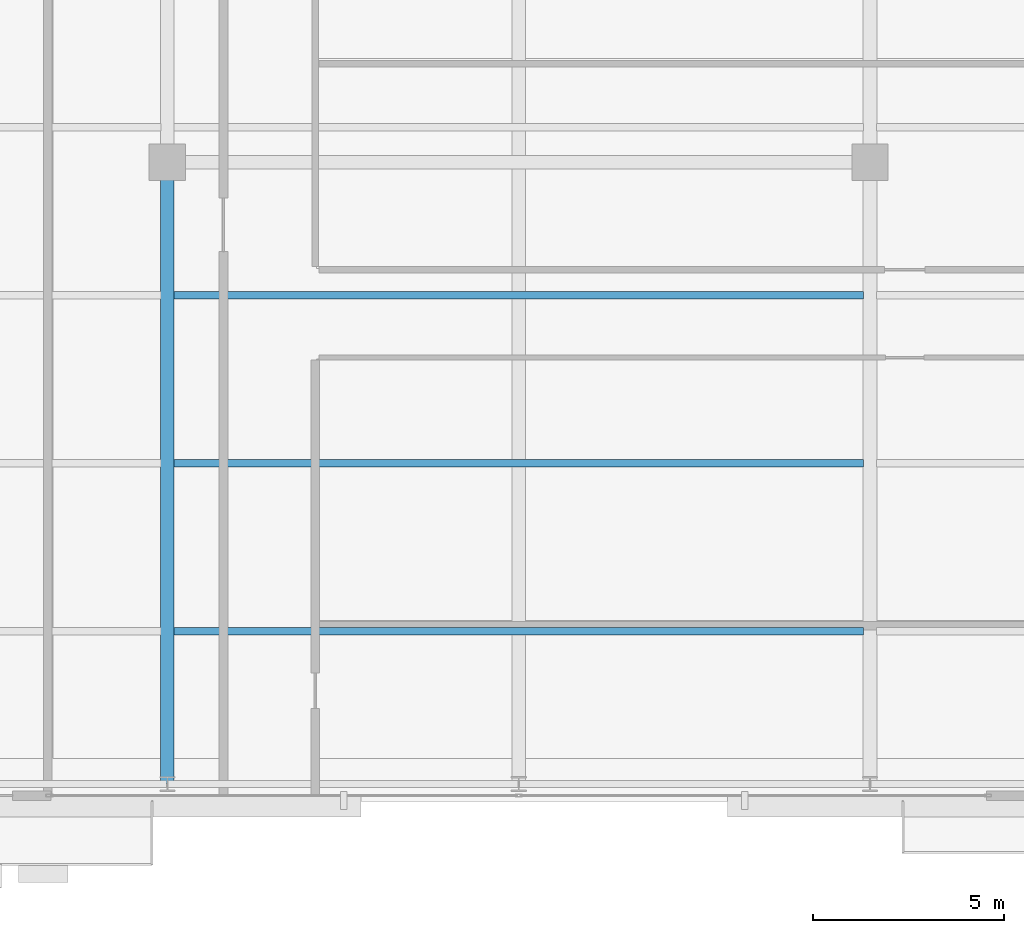
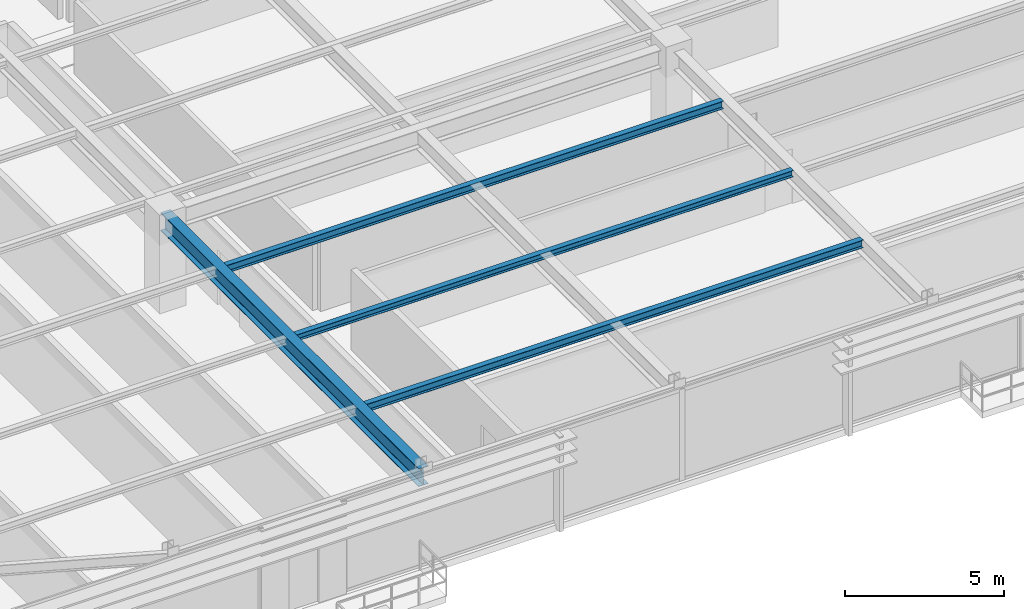
# One storey, part 7 of 31: 4 beams.
"""IFC4 building model written with IfcOpenShell, lengths in metres."""

from ifc_helpers import new_model, si_unit, direction, frame, origin, origin_2d, place, context, subcontext, project, spatial, i_section, extrude, source, transform, mapped, material, material_profile, profile_set, type_object, type_shapes, element, save


model = new_model("IFC4")

# Units and contexts
model_context = context("Model", 3, precision=1e-05, world=origin(), true_north=direction((0.0, 1.0)))
body_context = subcontext(model_context, "Body", "Model", "MODEL_VIEW")
ifc_project = project(units=[si_unit("LENGTHUNIT", "METRE"), si_unit("AREAUNIT", "SQUARE_METRE"), si_unit("VOLUMEUNIT", "CUBIC_METRE"), si_unit("PLANEANGLEUNIT", "RADIAN"), si_unit("MASSUNIT", "GRAM", prefix="KILO")], contexts=[model_context])

# Site, building, storey
site_placement = place(None, origin())
site = spatial("IfcSite", under=ifc_project, at=site_placement, CompositionType="ELEMENT")
building_placement = place(site_placement, origin())
building = spatial("IfcBuilding", under=site, at=building_placement, Name="Varnel Quay Broadcast Tower", CompositionType="ELEMENT")
storey_placement = place(building_placement, frame((0.0, 0.0, 94.60009765625)))
storey = spatial("IfcBuildingStorey", under=building, at=storey_placement, Name="L22", CompositionType="ELEMENT", Elevation=94.60009765625)

# Beams
ifc_material = material(Name="Structural Steel CSA G40.21 350W", Category="steel")
ifc_material_profile_1 = material_profile(ifc_material, i_section(OverallWidth=0.35498046875, OverallDepth=0.695068359375, WebThickness=0.015380859375, FlangeThickness=0.02490234375, FilletRadius=0.01806640625, at=origin_2d()), Name="W690X217")
ifc_profile_set_1 = profile_set([ifc_material_profile_1], Name="Structural Steel CSA G40.21 350W")
beam_type_1 = type_object("IfcBeamType", Name="Girder_W690X217", PredefinedType="BEAM", material=ifc_profile_set_1)
shared_shape_1 = source(origin(), body_context, "Body", "SweptSolid", [
    extrude(i_section(OverallWidth=0.35498046875, OverallDepth=0.695068359375, WebThickness=0.015380859375, FlangeThickness=0.02490234375, FilletRadius=0.01806640625, at=origin_2d()), origin(), (0.0, 0.0, 1.0), 16.239990234375),
])
type_shapes(beam_type_1, [shared_shape_1])
beam_1_placement = place(storey_placement, frame((24.800048828125, 4.669921875, 3.17236328125), z_axis=(0.0, 1.0, 0.0), x_axis=(-1.0, 0.0, 0.0)))
element("IfcBeam", 1, at=beam_1_placement, inside=storey, type_object=beam_type_1, Name="L22 Primary Girder TC-S2-IC-01", PredefinedType="BEAM", context=body_context, shape_type="MappedRepresentation", body=[
    mapped(shared_shape_1, transform((0.0, 0.0, 0.0), x_axis=(1.0, 0.0, 0.0), y_axis=(0.0, 1.0, 0.0), z_axis=(0.0, 0.0, 1.0), scale=1.0)),
])
ifc_material_profile_2 = material_profile(ifc_material, i_section(OverallWidth=0.202880859375, OverallDepth=0.302978515625, WebThickness=0.007568359375, FlangeThickness=0.01318359375, FilletRadius=0.011962890625, at=origin_2d()), Name="W310X60")
ifc_profile_set_2 = profile_set([ifc_material_profile_2], Name="Structural Steel CSA G40.21 350W")
beam_type_2 = type_object("IfcBeamType", Name="Beam_W310X60", PredefinedType="JOIST", material=ifc_profile_set_2)
shared_shape_2 = source(origin(), body_context, "Body", "SweptSolid", [
    extrude(i_section(OverallWidth=0.202880859375, OverallDepth=0.302978515625, WebThickness=0.007568359375, FlangeThickness=0.01318359375, FilletRadius=0.011962890625, at=origin_2d()), origin(), (0.0, 0.0, 1.0), 18.05517578125),
])
type_shapes(beam_type_2, [shared_shape_2])
for number, where, z_axis, x_axis, name in (
    (2, (24.972412109375, 8.64990234375, 3.368408203125), (1.0, 0.0, 0.0), (0.0, 1.0, 0.0), "L22 Central Floor Joist 1"),
    (3, (24.972412109375, 17.449951171875, 3.368408203125), (1.0, 0.0, 0.0), (0.0, 1.0, 0.0), "L22 Central Floor Joist 3"),
):
    element("IfcBeam", number, at=place(storey_placement, frame(where, z_axis=z_axis, x_axis=x_axis)), inside=storey, type_object=beam_type_2, Name=name, PredefinedType="JOIST", context=body_context, shape_type="MappedRepresentation", body=[
        mapped(shared_shape_2, transform((0.0, 0.0, 0.0), x_axis=(1.0, 0.0, 0.0), y_axis=(0.0, 1.0, 0.0), z_axis=(0.0, 0.0, 1.0), scale=1.0)),
    ])
ifc_material_profile_3 = material_profile(ifc_material, i_section(OverallWidth=0.201904296875, OverallDepth=0.2470703125, WebThickness=0.00732421875, FlangeThickness=0.010986328125, FilletRadius=0.010986328125, at=origin_2d()), Name="W250X49")
ifc_profile_set_3 = profile_set([ifc_material_profile_3], Name="Structural Steel CSA G40.21 350W")
beam_type_3 = type_object("IfcBeamType", Name="Beam_W250X49", PredefinedType="JOIST", material=ifc_profile_set_3)
shared_shape_3 = source(origin(), body_context, "Body", "SweptSolid", [
    extrude(i_section(OverallWidth=0.201904296875, OverallDepth=0.2470703125, WebThickness=0.00732421875, FlangeThickness=0.010986328125, FilletRadius=0.010986328125, at=origin_2d()), origin(), (0.0, 0.0, 1.0), 18.05517578125),
])
type_shapes(beam_type_3, [shared_shape_3])
beam_2_placement = place(storey_placement, frame((24.972412109375, 13.050048828125, 3.396484375), z_axis=(1.0, 0.0, 0.0), x_axis=(0.0, 1.0, 0.0)))
element("IfcBeam", 4, at=beam_2_placement, inside=storey, type_object=beam_type_3, Name="L22 Central Floor Joist 2", PredefinedType="JOIST", context=body_context, shape_type="MappedRepresentation", body=[
    mapped(shared_shape_3, transform((0.0, 0.0, 0.0), x_axis=(1.0, 0.0, 0.0), y_axis=(0.0, 1.0, 0.0), z_axis=(0.0, 0.0, 1.0), scale=1.0)),
])

save(model, "model.ifc")
